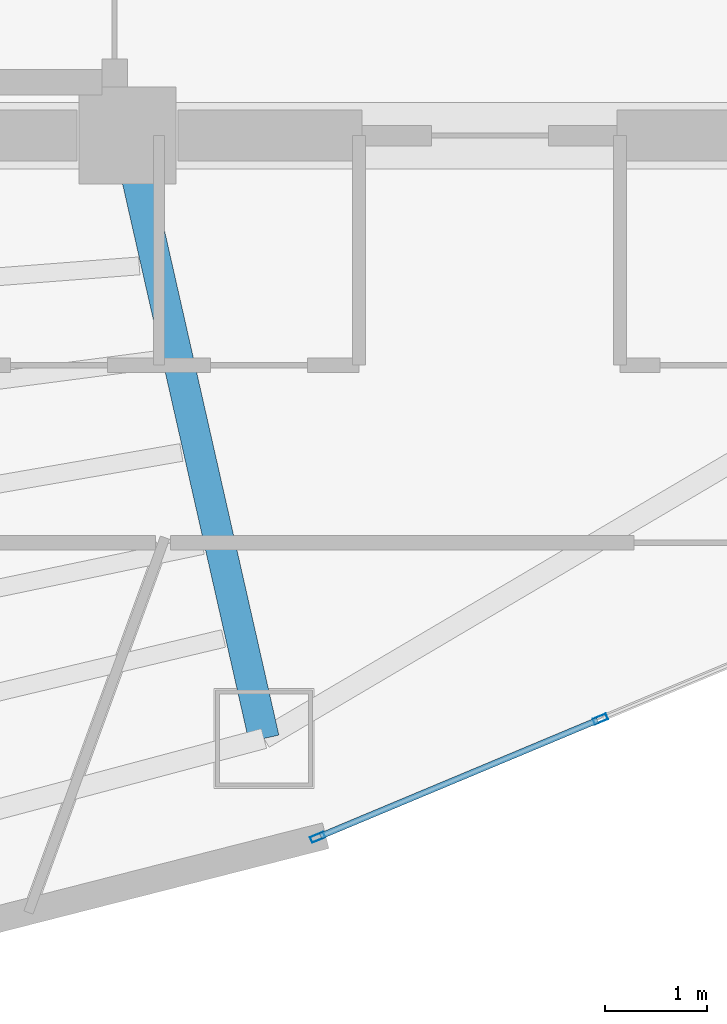
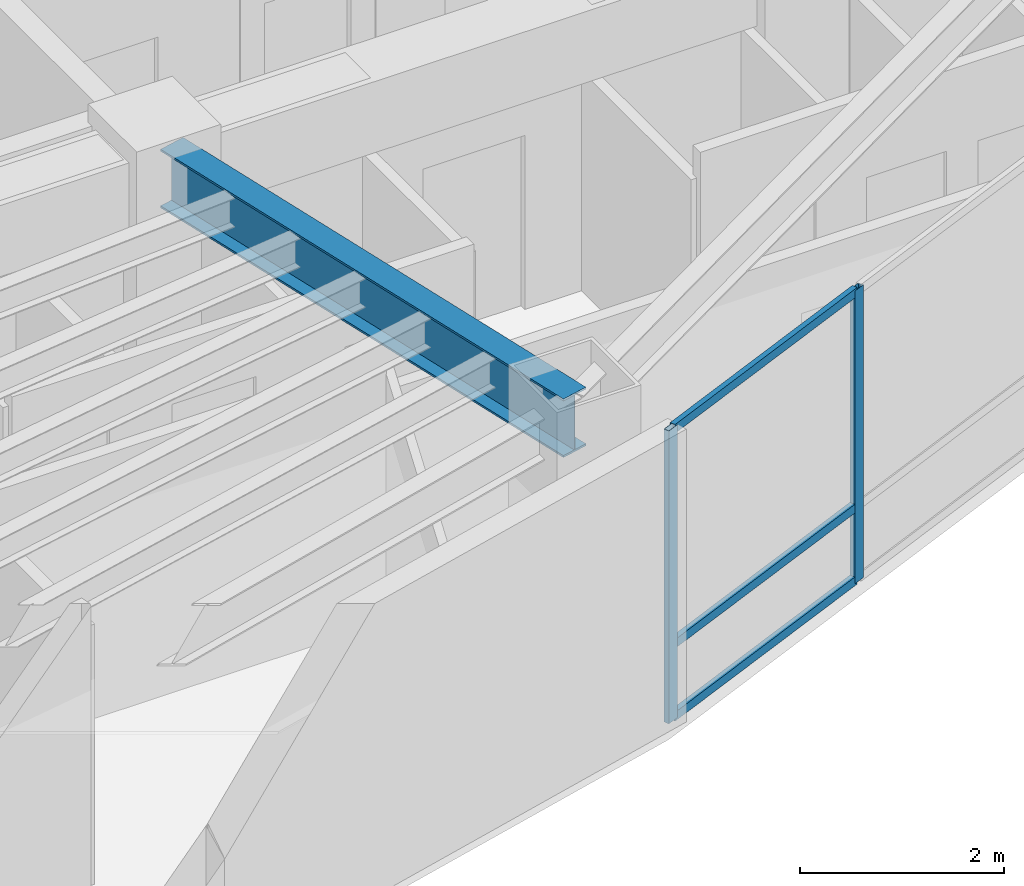
# One storey, part 2 of 15: 5 members, 1 beam, 1 element without a shape of its own.
"""IFC4 building model written with IfcOpenShell, lengths in metres."""

from ifc_helpers import new_model, si_unit, direction, frame, origin, origin_2d, place, context, subcontext, project, spatial, hollow_rectangle, i_section, extrude, material, layer, layer_set, material_profile, profile_set, type_object, element, aggregate, save


model = new_model("IFC4")

# Units and contexts
model_context = context("Model", 3, precision=1e-05, world=origin(), true_north=direction((0.0, 1.0)))
body_context = subcontext(model_context, "Body", "Model", "MODEL_VIEW")
ifc_project = project(units=[si_unit("LENGTHUNIT", "METRE"), si_unit("AREAUNIT", "SQUARE_METRE"), si_unit("VOLUMEUNIT", "CUBIC_METRE"), si_unit("PLANEANGLEUNIT", "RADIAN"), si_unit("MASSUNIT", "GRAM", prefix="KILO")], contexts=[model_context])

# Site, building, storey
site_placement = place(None, origin())
site = spatial("IfcSite", under=ifc_project, at=site_placement, CompositionType="ELEMENT")
building_placement = place(site_placement, origin())
building = spatial("IfcBuilding", under=site, at=building_placement, Name="Menara Vayukalpa", CompositionType="ELEMENT")
storey_placement = place(building_placement, frame((0.0, 0.0, 226.97998046875)))
storey = spatial("IfcBuildingStorey", under=building, at=storey_placement, Name="L57", CompositionType="ELEMENT", Elevation=226.97998046875)

# Beam
ifc_material_1 = material(Name="Steel S355", Category="steel")
ifc_material_profile_1 = material_profile(ifc_material_1, i_section(OverallWidth=0.300048828125, OverallDepth=0.699951171875, WebThickness=0.012939453125, FlangeThickness=0.02392578125, at=origin_2d()), Name="WF 700x300x13x24")
ifc_profile_set_1 = profile_set([ifc_material_profile_1], Name="Steel S355")
beam_type = type_object("IfcBeamType", Name="BM-PG5", PredefinedType="BEAM", material=ifc_profile_set_1)
beam_placement = place(storey_placement, frame((22.105224609375, 16.956298828125, 3.14990234375), z_axis=(0.221085149161, -0.975254508741, 0.0), x_axis=(0.975254508741, 0.221085149161, 0.0)))
element("IfcBeam", 1, at=beam_placement, inside=storey, type_object=beam_type, Name="L57 Primary Radial Girder RG08", PredefinedType="BEAM", context=body_context, shape_type="SweptSolid", body=[
    extrude(i_section(OverallWidth=0.300048828125, OverallDepth=0.699951171875, WebThickness=0.012939453125, FlangeThickness=0.02392578125, at=origin_2d()), origin(), (0.0, 0.0, 1.0), 5.80859375),
])

# Curtain wall, members
ifc_material_2 = material(Name="Anodised Terracotta Aluminium Alloy 6063-T6", Category="masonry")
ifc_layer = layer(ifc_material_2, 0.139892578125)
ifc_layer_set = layer_set([ifc_layer], Name="Anodised Terracotta Aluminium Alloy 6063-T6")
curtain_wall_type = type_object("IfcCurtainWallType", Name="CW-CW5", PredefinedType="USERDEFINED", material=ifc_layer_set)
curtain_wall_placement = place(storey_placement, origin())
curtain_wall = element("IfcCurtainWall", 2, at=curtain_wall_placement, inside=storey, type_object=curtain_wall_type, Name="L57 High Rise Tapered Curtain Wall CW5 16", ObjectType="UNITISED", PredefinedType="USERDEFINED")
ifc_material_3 = material(Name="Anodised Terracotta Aluminium Alloy 6063-T6", Category="masonry")
ifc_material_profile_2 = material_profile(ifc_material_3, hollow_rectangle(XDim=0.06005859375, YDim=0.139892578125, WallThickness=0.00341796875, at=origin_2d()), Name="ALU 60x140x3.5")
ifc_profile_set_2 = profile_set([ifc_material_profile_2], Name="Anodised Terracotta Aluminium Alloy 6063-T6")
member_type_1 = type_object("IfcMemberType", Name="CWM-CW5", PredefinedType="MULLION", material=ifc_profile_set_2)
member_1_placement = place(storey_placement, frame((23.916259765625, 10.322998046875, 0.0), z_axis=(0.0, 0.0, 1.0), x_axis=(-0.385902834406, 0.922539431351, 0.0)))
member_1 = element("IfcMember", 3, at=member_1_placement, type_object=member_type_1, Name="CW5 mullion 1", PredefinedType="MULLION", context=body_context, shape_type="SweptSolid", body=[
    extrude(hollow_rectangle(XDim=0.06005859375, YDim=0.139892578125, WallThickness=0.00341796875, at=origin_2d()), origin(), (0.0, 0.0, 1.0), 3.5),
])
member_2_placement = place(storey_placement, frame((26.686279296875, 11.481689453125, 0.0), z_axis=(0.0, 0.0, 1.0), x_axis=(-0.385902834406, 0.922539431351, 0.0)))
member_2 = element("IfcMember", 4, at=member_2_placement, type_object=member_type_1, Name="CW5 mullion 2", PredefinedType="MULLION", context=body_context, shape_type="SweptSolid", body=[
    extrude(hollow_rectangle(XDim=0.06005859375, YDim=0.139892578125, WallThickness=0.00341796875, at=origin_2d()), origin(), (0.0, 0.0, 1.0), 3.5),
])
ifc_material_4 = material(Name="Anodised Terracotta Aluminium Alloy 6063-T6", Category="masonry")
ifc_material_profile_3 = material_profile(ifc_material_4, hollow_rectangle(XDim=0.06005859375, YDim=0.10498046875, WallThickness=0.0029296875, at=origin_2d()), Name="ALU 60x105x3")
ifc_profile_set_3 = profile_set([ifc_material_profile_3], Name="Anodised Terracotta Aluminium Alloy 6063-T6")
member_type_2 = type_object("IfcMemberType", Name="CWT-CW5", PredefinedType="USERDEFINED", material=ifc_profile_set_3)
member_3_placement = place(storey_placement, frame((23.94384765625, 10.33447265625, 0.030029296875), z_axis=(0.922543360613, 0.385893440976, 0.0), x_axis=(-0.385893440976, 0.922543360613, 0.0)))
member_3 = element("IfcMember", 5, at=member_3_placement, type_object=member_type_2, Name="CW5 transom 1.1", ObjectType="TRANSOM", PredefinedType="USERDEFINED", context=body_context, shape_type="SweptSolid", body=[
    extrude(hollow_rectangle(XDim=0.06005859375, YDim=0.10498046875, WallThickness=0.0029296875, at=origin_2d()), origin(), (0.0, 0.0, 1.0), 2.942626953125),
])
member_4_placement = place(storey_placement, frame((23.94384765625, 10.33447265625, 0.89990234375), z_axis=(0.922543360613, 0.385893440976, 0.0), x_axis=(-0.385893440976, 0.922543360613, 0.0)))
member_4 = element("IfcMember", 6, at=member_4_placement, type_object=member_type_2, Name="CW5 transom 1.2", ObjectType="TRANSOM", PredefinedType="USERDEFINED", context=body_context, shape_type="SweptSolid", body=[
    extrude(hollow_rectangle(XDim=0.06005859375, YDim=0.10498046875, WallThickness=0.0029296875, at=origin_2d()), origin(), (0.0, 0.0, 1.0), 2.942626953125),
])
member_5_placement = place(storey_placement, frame((23.94384765625, 10.33447265625, 3.469970703125), z_axis=(0.922543360613, 0.385893440976, 0.0), x_axis=(-0.385893440976, 0.922543360613, 0.0)))
member_5 = element("IfcMember", 7, at=member_5_placement, type_object=member_type_2, Name="CW5 transom 1.3", ObjectType="TRANSOM", PredefinedType="USERDEFINED", context=body_context, shape_type="SweptSolid", body=[
    extrude(hollow_rectangle(XDim=0.06005859375, YDim=0.10498046875, WallThickness=0.0029296875, at=origin_2d()), origin(), (0.0, 0.0, 1.0), 2.942626953125),
])
aggregate(curtain_wall, [member_1, member_2, member_3, member_4, member_5])

save(model, "model.ifc")
